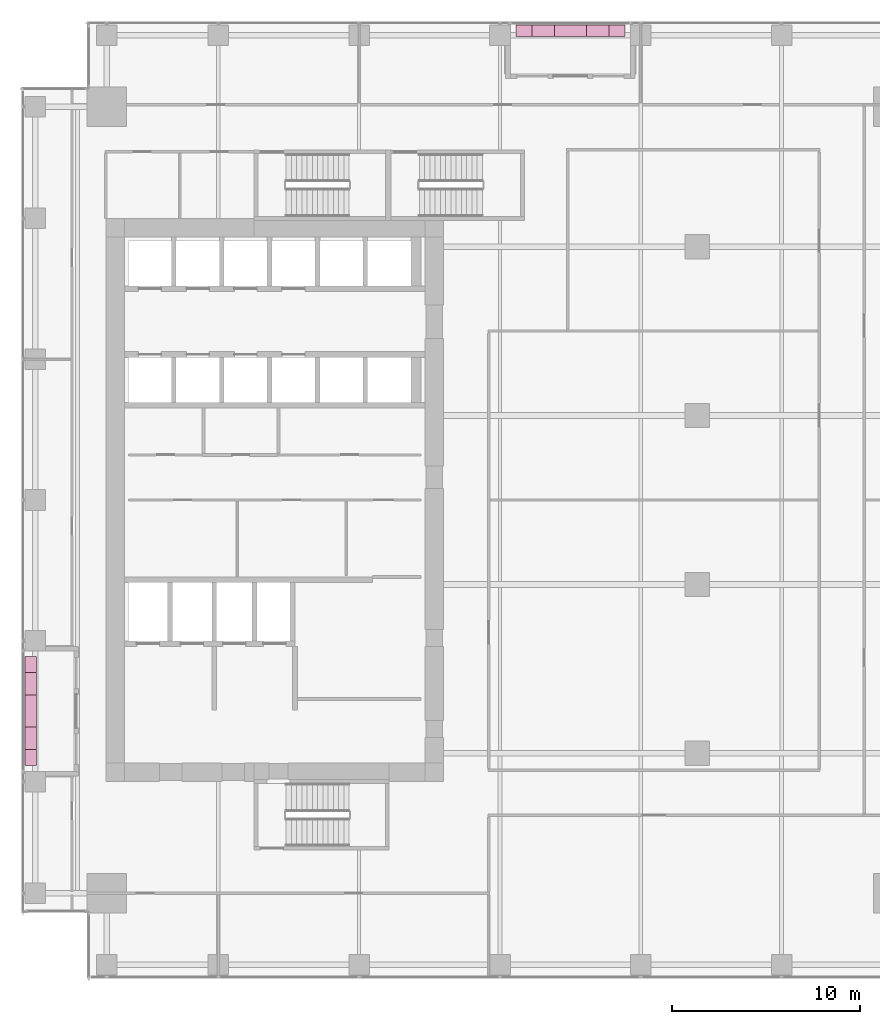
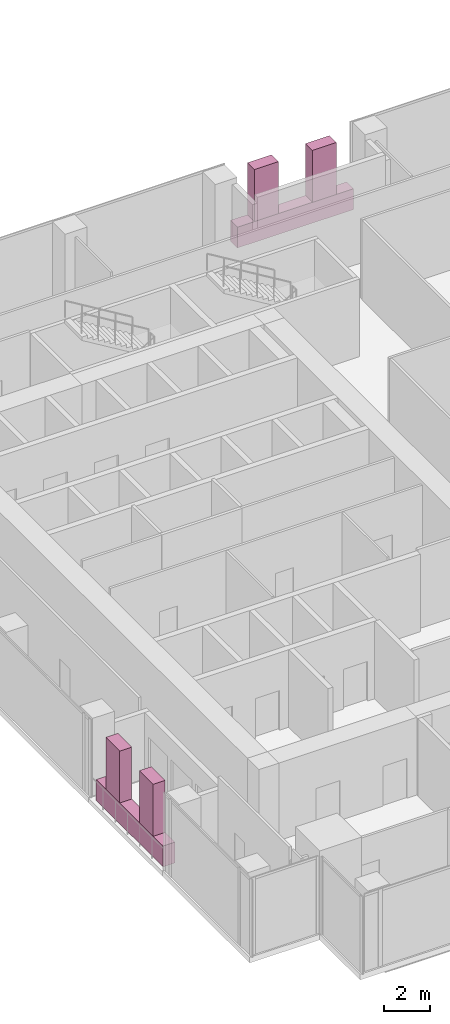
# One storey, part 33 of 33: 6 furnishings.
"""IFC4 building model written with IfcOpenShell, lengths in metres."""

from ifc_helpers import new_model, si_unit, direction, frame, origin, origin_2d, place, context, subcontext, project, spatial, rectangle, extrude, source, transform, mapped, material, type_object, element, save


model = new_model("IFC4")

# Units and contexts
model_context = context("Model", 3, precision=1e-05, world=origin(), true_north=direction((0.0, 1.0)))
body_context = subcontext(model_context, "Body", "Model", "MODEL_VIEW")
ifc_project = project(units=[si_unit("LENGTHUNIT", "METRE"), si_unit("AREAUNIT", "SQUARE_METRE"), si_unit("VOLUMEUNIT", "CUBIC_METRE"), si_unit("PLANEANGLEUNIT", "RADIAN"), si_unit("MASSUNIT", "GRAM", prefix="KILO")], contexts=[model_context])

# Site, building, storey
site_placement = place(None, origin())
site = spatial("IfcSite", under=ifc_project, at=site_placement, CompositionType="ELEMENT")
building_placement = place(site_placement, origin())
building = spatial("IfcBuilding", under=site, at=building_placement, Name="Khomas Fold Tower", CompositionType="ELEMENT")
storey_placement = place(building_placement, frame((0.0, 0.0, 149.89990234375)))
storey = spatial("IfcBuildingStorey", under=building, at=storey_placement, Name="L32", CompositionType="ELEMENT", Elevation=149.89990234375)

# Furnishings
ifc_material_1 = material(Name="Planting")
furnishing_element_type_1 = type_object("IfcFurnishingElementType", Name="BL-Tree Wild olive", material=ifc_material_1)
shared_shape_1 = source(origin(), body_context, "Body", "SweptSolid", [
    extrude(rectangle(XDim=1.199951171875, YDim=0.60009765625, at=origin_2d()), origin(), (0.0, 0.0, 1.0), 2.7451171875),
])
furnishing_1_placement = place(storey_placement, frame((2.0, 14.300048828125, 1.054931640625), z_axis=(0.0, 0.0, 1.0), x_axis=(0.0, 1.0, 0.0)))
element("IfcFurnishingElement", 1, at=furnishing_1_placement, inside=storey, type_object=furnishing_element_type_1, Name="PLANTER (TREE) Wild olive BAL-L32-W1-1", context=body_context, shape_type="MappedRepresentation", body=[
    mapped(shared_shape_1, transform((0.0, 0.0, 0.0))),
])
ifc_material_2 = material(Name="Planting")
furnishing_element_type_2 = type_object("IfcFurnishingElementType", Name="BL-Tree Shepherd's tree", material=ifc_material_2)
for number, where, z_axis, x_axis, name in (
    (2, (2.0, 17.199951171875, 1.054931640625), (0.0, 0.0, 1.0), (0.0, 1.0, 0.0), "PLANTER (TREE) Shepherd's tree BAL-L32-W1-2"),
    (3, (29.300048828125, 52.0, 1.054931640625), (0.0, 0.0, 1.0), (1.0, 0.0, 0.0), "PLANTER (TREE) Shepherd's tree BAL-L32-N3-1"),
):
    element("IfcFurnishingElement", number, at=place(storey_placement, frame(where, z_axis=z_axis, x_axis=x_axis)), inside=storey, type_object=furnishing_element_type_2, Name=name, context=body_context, shape_type="MappedRepresentation", body=[
        mapped(shared_shape_1, transform((0.0, 0.0, 0.0))),
    ])
ifc_material_3 = material(Name="Planting")
furnishing_element_type_3 = type_object("IfcFurnishingElementType", Name="BL-Tree Karee", material=ifc_material_3)
furnishing_2_placement = place(storey_placement, frame((32.199951171875, 52.0, 1.054931640625), z_axis=(0.0, 0.0, 1.0), x_axis=(1.0, 0.0, 0.0)))
element("IfcFurnishingElement", 4, at=furnishing_2_placement, inside=storey, type_object=furnishing_element_type_3, Name="PLANTER (TREE) Karee BAL-L32-N3-2", context=body_context, shape_type="MappedRepresentation", body=[
    mapped(shared_shape_1, transform((0.0, 0.0, 0.0))),
])
ifc_material_4 = material(Name="Precast concrete C40/50", Category="concrete")
furnishing_element_type_4 = type_object("IfcFurnishingElementType", Name="BL-Structural planter box", material=ifc_material_4)
shared_shape_2 = source(origin(), body_context, "Body", "SweptSolid", [
    extrude(rectangle(XDim=5.800048828125, YDim=0.60009765625, at=origin_2d()), origin(), (0.0, 0.0, 1.0), 1.10009765625),
])
for number, where, z_axis, x_axis, name in (
    (5, (2.0, 15.75, -0.044921875), (0.0, 0.0, 1.0), (0.0, 1.0, 0.0), "PLANTER BAL-L32-W1"),
    (6, (30.75, 52.0, -0.044921875), (0.0, 0.0, 1.0), (1.0, 0.0, 0.0), "PLANTER BAL-L32-N3"),
):
    element("IfcFurnishingElement", number, at=place(storey_placement, frame(where, z_axis=z_axis, x_axis=x_axis)), inside=storey, type_object=furnishing_element_type_4, Name=name, context=body_context, shape_type="MappedRepresentation", body=[
        mapped(shared_shape_2, transform((0.0, 0.0, 0.0))),
    ])

save(model, "model.ifc")
